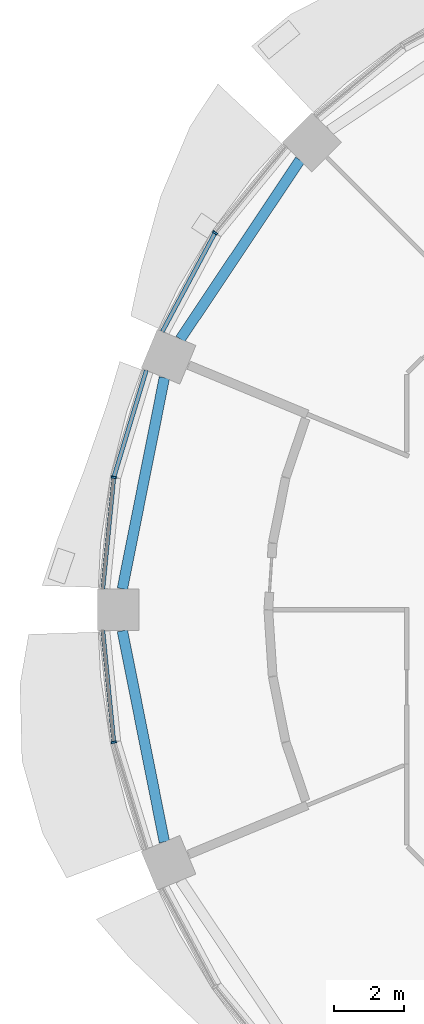
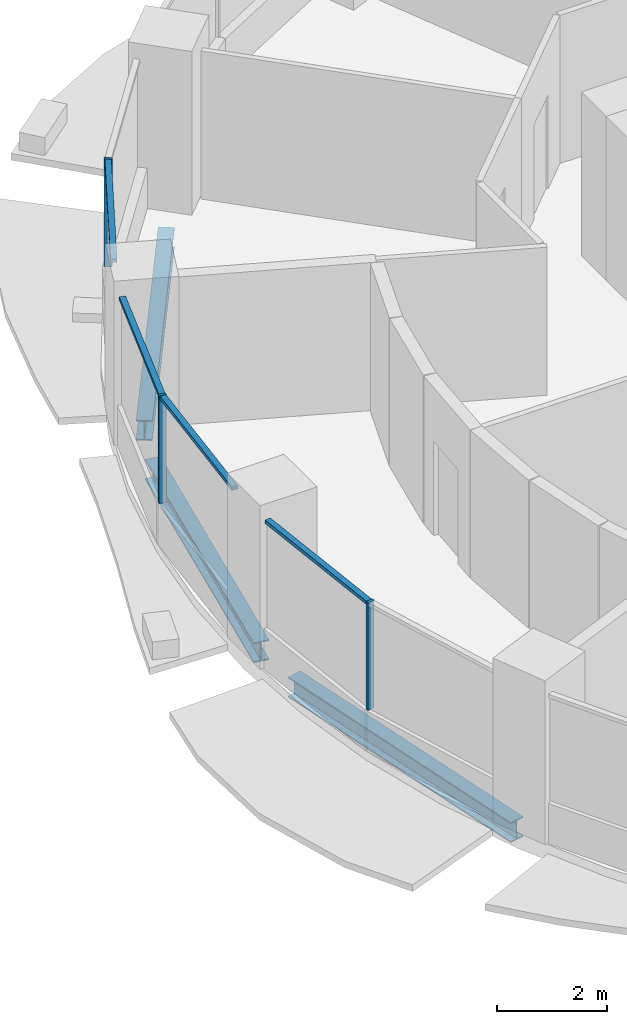
# One storey, part 4 of 15: 7 members, 3 beams, 3 elements without a shape of their own.
"""IFC4 building model written with IfcOpenShell, lengths in metres."""

import ifcopenshell
import ifcopenshell.guid

model = None  # the IFC model being written
_history = None  # IfcOwnerHistory: only IFC2X3 demands one
_inside = {}  # id of a spatial element -> (the spatial element, [elements in it])
_under = {}  # id of a project, library or spatial element -> (it, [spatial elements below it])
_declared = {}  # id of a project -> (the project, [libraries it declares])
_typed = {}  # id of a type object -> (the type object, [elements of that type])
_made_of = {}  # id of a material, layer set ... -> (it, [elements and type objects made of it])


def new_model(schema):
    """Start an empty IFC model of exactly this schema.

    Asked for "IFC4X3", IfcOpenShell would pick the latest addendum, in which some entities
    have other attributes; the version numbers below select the first issue.
    IFC2X3 requires an IfcOwnerHistory on every rooted entity: one is made here for all.
    """
    global model, _history
    if schema == "IFC4X3":
        model = ifcopenshell.file(schema_version=(4, 3, 0, 0))
    else:
        model = ifcopenshell.file(schema=schema)
    _inside.clear()
    _under.clear()
    _declared.clear()
    _typed.clear()
    _made_of.clear()
    _history = None
    if model.schema == "IFC2X3":
        org = make("IfcOrganization", Name="unknown")
        user = make(
            "IfcPersonAndOrganization",
            ThePerson=make("IfcPerson", FamilyName="unknown"),
            TheOrganization=org,
        )
        app = make(
            "IfcApplication",
            ApplicationDeveloper=org,
            Version="unknown",
            ApplicationFullName="unknown",
            ApplicationIdentifier="unknown",
        )
        _history = make(
            "IfcOwnerHistory",
            OwningUser=user,
            OwningApplication=app,
            ChangeAction="ADDED",
            CreationDate=0,
        )
    return model


def make(cls, **values):
    """One entity of the class cls with the attributes given. An attribute that is None is left unset."""
    return model.create_entity(
        cls, **{name: value for name, value in values.items() if value is not None}
    )


def rooted(cls, **values):
    """An entity with a GlobalId (a new one), such as an element, a storey or a relation."""
    return make(cls, GlobalId=ifcopenshell.guid.new(), OwnerHistory=_history, **values)


def si_unit(unit_type, name, prefix=None):
    """IfcSIUnit, for example si_unit("LENGTHUNIT", "METRE", prefix="MILLI")."""
    return make("IfcSIUnit", UnitType=unit_type, Prefix=prefix, Name=name)


def assignment(units):
    """IfcUnitAssignment: the units of a project."""
    return None if units is None else make("IfcUnitAssignment", Units=units)


def point(xyz):
    """IfcCartesianPoint."""
    return None if xyz is None else make("IfcCartesianPoint", Coordinates=xyz)


def direction(xyz):
    """IfcDirection."""
    return None if xyz is None else make("IfcDirection", DirectionRatios=xyz)


def frame(location, z_axis=None, x_axis=None):
    """IfcAxis2Placement3D, a coordinate frame: its origin and axes. An axis left out is left unset."""
    return make(
        "IfcAxis2Placement3D",
        Location=point(location),
        Axis=direction(z_axis),
        RefDirection=direction(x_axis),
    )


def frame_2d(location, x_axis=None):
    """IfcAxis2Placement2D, a coordinate frame in the plane: its origin and x axis."""
    return make(
        "IfcAxis2Placement2D", Location=point(location), RefDirection=direction(x_axis)
    )


def origin():
    """The frame at (0, 0, 0) with its axes left unset."""
    return frame((0.0, 0.0, 0.0))


def origin_2d():
    """The frame at (0, 0) in the plane with its x axis left unset."""
    return frame_2d((0.0, 0.0))


def place(relative_to, where):
    """IfcLocalPlacement: puts the frame where relative to a parent placement (None: the world)."""
    return make(
        "IfcLocalPlacement", PlacementRelTo=relative_to, RelativePlacement=where
    )


def context(
    kind, dimensions, precision=None, world=None, true_north=None, identifier=None
):
    """IfcGeometricRepresentationContext, for example the 3D "Model" context."""
    return make(
        "IfcGeometricRepresentationContext",
        ContextIdentifier=identifier,
        ContextType=kind,
        CoordinateSpaceDimension=dimensions,
        Precision=precision,
        WorldCoordinateSystem=world,
        TrueNorth=true_north,
    )


def subcontext(parent, identifier, kind, view, scale=None):
    """IfcGeometricRepresentationSubContext, for example "Body" below "Model"."""
    return make(
        "IfcGeometricRepresentationSubContext",
        ContextIdentifier=identifier,
        ContextType=kind,
        ParentContext=parent,
        TargetScale=scale,
        TargetView=view,
    )


def project(units=None, contexts=None):
    """IfcProject with its units and contexts."""
    return rooted(
        "IfcProject",
        Name="project",
        RepresentationContexts=contexts,
        UnitsInContext=assignment(units),
    )


def spatial(cls, under=None, at=None, **own):
    """A site, building, storey or space (cls), placed at a placement, below another one or the project."""
    s = rooted(cls, ObjectPlacement=at, **own)
    if under is not None:
        _under.setdefault(under.id(), (under, []))[1].append(s)
    return s


def profile(cls, at=None, kind="AREA", **sizes):
    """A parametric profile (cls). Its sizes go by their IFC names, for example OverallWidth=200.0."""
    return make(cls, ProfileType=kind, Position=at, **sizes)


def rectangle(**sizes):
    """IfcRectangleProfileDef."""
    return profile("IfcRectangleProfileDef", **sizes)


def i_section(**sizes):
    """IfcIShapeProfileDef."""
    return profile("IfcIShapeProfileDef", **sizes)


def extrude(swept, where, along, depth):
    """IfcExtrudedAreaSolid: the profile swept, set in the frame where, extruded along a direction by depth."""
    return make(
        "IfcExtrudedAreaSolid",
        SweptArea=swept,
        Position=where,
        ExtrudedDirection=direction(along),
        Depth=depth,
    )


def shape(context_of_items, identifier, shape_type, items):
    """IfcShapeRepresentation: the items that make up one representation, for example the "Body"."""
    return make(
        "IfcShapeRepresentation",
        ContextOfItems=context_of_items,
        RepresentationIdentifier=identifier,
        RepresentationType=shape_type,
        Items=items,
    )


def material(Name=None, Category=None):
    """IfcMaterial."""
    return make("IfcMaterial", Name=Name, Category=Category)


def material_profile(
    of_material, cross_section, Name=None, Category=None, Priority=None
):
    """IfcMaterialProfile: a cross section and its material."""
    return make(
        "IfcMaterialProfile",
        Name=Name,
        Material=of_material,
        Profile=cross_section,
        Priority=Priority,
        Category=Category,
    )


def profile_set(profiles, Name=None, composite=None):
    """IfcMaterialProfileSet."""
    return make(
        "IfcMaterialProfileSet",
        Name=Name,
        MaterialProfiles=profiles,
        CompositeProfile=composite,
    )


def made_of(thing, what):
    """Note that an element or type object is made of a material, layer set ...; save() writes the relation."""
    if what is not None:
        _made_of.setdefault(what.id(), (what, []))[1].append(thing)
    return thing


def type_object(cls, material=None, **own):
    """A type object (cls), such as IfcWallType, which elements share."""
    return made_of(rooted(cls, **own), material)


def element(
    cls,
    number,
    at=None,
    inside=None,
    cuts=None,
    type_object=None,
    material=None,
    context=None,
    identifier="Body",
    shape_type=None,
    held_by="IfcProductDefinitionShape",
    body=None,
    shapes=None,
    **own,
):
    """One element of the class cls, such as IfcWall. Its Tag is "e" and its number.

    at: its placement. inside: the storey or other place that contains it. cuts: it is an
    opening in that element (IfcRelVoidsElement). A single representation is given by context,
    identifier, shape_type and body (its items); several are given by shapes. held_by: the class
    of the entity that holds the representations. save() writes the other relations.
    """
    e = rooted(cls, Tag="e%d" % number, ObjectPlacement=at, **own)
    if body is not None:
        shapes = [shape(context, identifier, shape_type, body)]
    if shapes is not None:
        e.Representation = make(held_by, Representations=shapes)
    if inside is not None:
        _inside.setdefault(inside.id(), (inside, []))[1].append(e)
    if cuts is not None:
        rooted(
            "IfcRelVoidsElement", RelatingBuildingElement=cuts, RelatedOpeningElement=e
        )
    if type_object is not None:
        _typed.setdefault(type_object.id(), (type_object, []))[1].append(e)
    return made_of(e, material)


def aggregate(whole, parts):
    """IfcRelAggregates: a whole, such as a stair, and the parts it consists of."""
    return rooted("IfcRelAggregates", RelatingObject=whole, RelatedObjects=parts)


def save(model, path):
    """Write the relations noted so far, then the file.

    IfcRelAggregates (storeys below a building ...), IfcRelContainedInSpatialStructure (elements
    in a storey), IfcRelDefinesByType, IfcRelAssociatesMaterial and IfcRelDeclares: one each for
    every whole, place, type object, material and project.
    """
    for whole, parts in _under.values():
        aggregate(whole, parts)
    for where, things in _inside.values():
        rooted(
            "IfcRelContainedInSpatialStructure",
            RelatedElements=things,
            RelatingStructure=where,
        )
    for kind, things in _typed.values():
        rooted("IfcRelDefinesByType", RelatedObjects=things, RelatingType=kind)
    for what, things in _made_of.values():
        rooted("IfcRelAssociatesMaterial", RelatedObjects=things, RelatingMaterial=what)
    for by, libraries in _declared.values():
        rooted("IfcRelDeclares", RelatingContext=by, RelatedDefinitions=libraries)
    model.write(path)


model = new_model("IFC4")

# Units and contexts
model_context = context("Model", 3, precision=1e-05, world=origin(), true_north=direction((0.0, 1.0)))
body_context = subcontext(model_context, "Body", "Model", "MODEL_VIEW")
ifc_project = project(units=[si_unit("LENGTHUNIT", "METRE"), si_unit("AREAUNIT", "SQUARE_METRE"), si_unit("VOLUMEUNIT", "CUBIC_METRE"), si_unit("PLANEANGLEUNIT", "RADIAN"), si_unit("MASSUNIT", "GRAM", prefix="KILO")], contexts=[model_context])

# Site, building, storey
site_placement = place(None, origin())
site = spatial("IfcSite", under=ifc_project, at=site_placement, CompositionType="ELEMENT")
building_placement = place(site_placement, origin())
building = spatial("IfcBuilding", under=site, at=building_placement, Name="Polderwave Tower", CompositionType="ELEMENT")
storey_placement = place(building_placement, frame((0.0, 0.0, 59.050048828125)))
storey = spatial("IfcBuildingStorey", under=building, at=storey_placement, Name="L15", CompositionType="ELEMENT", Elevation=59.050048828125)

# Curtain wall, member
ifc_material_1 = material(Name="Aluminium 6063-T6 and glass", Category="aluminium")
curtain_wall_type = type_object("IfcCurtainWallType", Name="Growing floor ribbon glazing wall", PredefinedType="NOTDEFINED", material=ifc_material_1)
curtain_wall_1_placement = place(storey_placement, origin())
curtain_wall_1 = element("IfcCurtainWall", 1, at=curtain_wall_1_placement, inside=storey, type_object=curtain_wall_type, Name="CW2 L15 06", PredefinedType="NOTDEFINED")
ifc_material_2 = material(Name="Aluminium 6063-T6", Category="aluminium")
ifc_material_profile_1 = material_profile(ifc_material_2, rectangle(XDim=0.14990234375, YDim=0.06005859375, at=origin_2d()), Name="AL 60x150")
ifc_profile_set_1 = profile_set([ifc_material_profile_1], Name="Aluminium 6063-T6")
member_type_1 = type_object("IfcMemberType", Name="Growing floor ribbon glazing mullion 60x150", PredefinedType="MULLION", material=ifc_profile_set_1)
member_1_placement = place(storey_placement, frame((-16.1640625, 10.800048828125, 0.89990234375), z_axis=(0.0, 0.0, 1.0), x_axis=(0.831498700752, -0.555526696611, 0.0)))
member_1 = element("IfcMember", 2, at=member_1_placement, type_object=member_type_1, Name="CW2 mullion 1", PredefinedType="MULLION", context=body_context, shape_type="SweptSolid", body=[
    extrude(rectangle(XDim=0.14990234375, YDim=0.06005859375, at=origin_2d()), origin(), (0.0, 0.0, 1.0), 2.400146484375),
])

curtain_wall_2_placement = place(storey_placement, origin())
curtain_wall_2 = element("IfcCurtainWall", 3, at=curtain_wall_2_placement, inside=storey, type_object=curtain_wall_type, Name="CW2 L15 07", PredefinedType="NOTDEFINED")
member_2_placement = place(storey_placement, frame((-19.06591796875, 3.79296875, 0.89990234375), z_axis=(0.0, 0.0, 1.0), x_axis=(0.980768933113, -0.195172487407, 0.0)))
member_2 = element("IfcMember", 4, at=member_2_placement, type_object=member_type_1, Name="CW2 mullion 1", PredefinedType="MULLION", context=body_context, shape_type="SweptSolid", body=[
    extrude(rectangle(XDim=0.14990234375, YDim=0.06005859375, at=origin_2d()), origin(), (0.0, 0.0, 1.0), 2.400146484375),
])

curtain_wall_3_placement = place(storey_placement, origin())
curtain_wall_3 = element("IfcCurtainWall", 5, at=curtain_wall_3_placement, inside=storey, type_object=curtain_wall_type, Name="CW2 L15 08", PredefinedType="NOTDEFINED")
member_3_placement = place(storey_placement, frame((-19.06591796875, -3.79296875, 0.89990234375), z_axis=(0.0, 0.0, 1.0), x_axis=(0.980768933113, 0.195172487407, 0.0)))
member_3 = element("IfcMember", 6, at=member_3_placement, type_object=member_type_1, Name="CW2 mullion 1", PredefinedType="MULLION", context=body_context, shape_type="SweptSolid", body=[
    extrude(rectangle(XDim=0.14990234375, YDim=0.06005859375, at=origin_2d()), origin(), (0.0, 0.0, 1.0), 2.400146484375),
])

# Member
ifc_material_profile_2 = material_profile(ifc_material_2, rectangle(XDim=0.1201171875, YDim=0.080078125, at=origin_2d()), Name="AL 80x120")
ifc_profile_set_2 = profile_set([ifc_material_profile_2], Name="Aluminium 6063-T6")
member_type_2 = type_object("IfcMemberType", Name="Growing floor ribbon glazing transom 80x120", PredefinedType="USERDEFINED", material=ifc_profile_set_2)
member_4_placement = place(storey_placement, frame((-16.177978515625, 10.7734375, 3.260009765625), z_axis=(-0.471417452258, -0.881910191406, 0.0), x_axis=(0.881910191406, -0.471417452258, 0.0)))
member_4 = element("IfcMember", 7, at=member_4_placement, type_object=member_type_2, Name="CW2 transom 2", ObjectType="TRANSOM", PredefinedType="USERDEFINED", context=body_context, shape_type="SweptSolid", body=[
    extrude(rectangle(XDim=0.1201171875, YDim=0.080078125, at=origin_2d()), origin(), (0.0, 0.0, 1.0), 3.177734375),
])

aggregate(curtain_wall_1, [member_1, member_4])

member_5_placement = place(storey_placement, frame((-18.135009765625, 6.862060546875, 3.260009765625), z_axis=(-0.290314495574, -0.956931289937, 0.0), x_axis=(0.956931289937, -0.290314495574, 0.0)))
member_5 = element("IfcMember", 8, at=member_5_placement, type_object=member_type_2, Name="CW2 transom 1", ObjectType="TRANSOM", PredefinedType="USERDEFINED", context=body_context, shape_type="SweptSolid", body=[
    extrude(rectangle(XDim=0.1201171875, YDim=0.080078125, at=origin_2d()), origin(), (0.0, 0.0, 1.0), 3.177001953125),
])

member_6_placement = place(storey_placement, frame((-19.06884765625, 3.76318359375, 3.260009765625), z_axis=(-0.098241201585, -0.995162633096, 0.0), x_axis=(0.995162633096, -0.098241201585, 0.0)))
member_6 = element("IfcMember", 9, at=member_6_placement, type_object=member_type_2, Name="CW2 transom 2", ObjectType="TRANSOM", PredefinedType="USERDEFINED", context=body_context, shape_type="SweptSolid", body=[
    extrude(rectangle(XDim=0.1201171875, YDim=0.080078125, at=origin_2d()), origin(), (0.0, 0.0, 1.0), 3.178466796875),
])

aggregate(curtain_wall_2, [member_2, member_5, member_6])

member_7_placement = place(storey_placement, frame((-19.381103515625, -0.60009765625, 3.260009765625), z_axis=(0.098241201585, -0.995162633096, 0.0), x_axis=(0.995162633096, 0.098241201585, 0.0)))
member_7 = element("IfcMember", 10, at=member_7_placement, type_object=member_type_2, Name="CW2 transom 1", ObjectType="TRANSOM", PredefinedType="USERDEFINED", context=body_context, shape_type="SweptSolid", body=[
    extrude(rectangle(XDim=0.1201171875, YDim=0.080078125, at=origin_2d()), origin(), (0.0, 0.0, 1.0), 3.178466796875),
])

aggregate(curtain_wall_3, [member_3, member_7])

# Beams
ifc_material_3 = material(Name="Steel S355", Category="steel")
ifc_material_profile_3 = material_profile(ifc_material_3, i_section(OverallWidth=0.300048828125, OverallDepth=0.449951171875, WebThickness=0.013916015625, FlangeThickness=0.02587890625, at=origin_2d()), Name="HE 450 B")
ifc_profile_set_3 = profile_set([ifc_material_profile_3], Name="Steel S355")
beam_type = type_object("IfcBeamType", Name="RING BEAM HE 450 B", PredefinedType="BEAM", material=ifc_profile_set_3)
beam_placement = place(storey_placement, frame((-13.732421875, 12.884033203125, -0.574951171875), z_axis=(-0.555567831177, -0.831471217158, 0.0), x_axis=(0.831471217158, -0.555567831177, 0.0)))
element("IfcBeam", 11, at=beam_placement, inside=storey, type_object=beam_type, Name="ST-RB-L15-06", PredefinedType="BEAM", context=body_context, shape_type="SweptSolid", body=[
    extrude(i_section(OverallWidth=0.300048828125, OverallDepth=0.449951171875, WebThickness=0.013916015625, FlangeThickness=0.02587890625, at=origin_2d()), origin(), (0.0, 0.0, 1.0), 6.166748046875),
])
for number, where, z_axis, x_axis, name in (
    (12, (-17.61767578125, 6.64794921875, -0.574951171875), (-0.195072910533, -0.980788743602, 0.0), (0.980788743602, -0.195072910533, 0.0), "ST-RB-L15-07"),
    (13, (-18.820556640625, -0.60009765625, -0.574951171875), (0.195072910533, -0.980788743602, 0.0), (0.980788743602, 0.195072910533, 0.0), "ST-RB-L15-08"),
):
    element("IfcBeam", number, at=place(storey_placement, frame(where, z_axis=z_axis, x_axis=x_axis)), inside=storey, type_object=beam_type, Name=name, PredefinedType="BEAM", context=body_context, shape_type="SweptSolid", body=[
        extrude(i_section(OverallWidth=0.300048828125, OverallDepth=0.449951171875, WebThickness=0.013916015625, FlangeThickness=0.02587890625, at=origin_2d()), origin(), (0.0, 0.0, 1.0), 6.166259765625),
    ])

save(model, "model.ifc")
